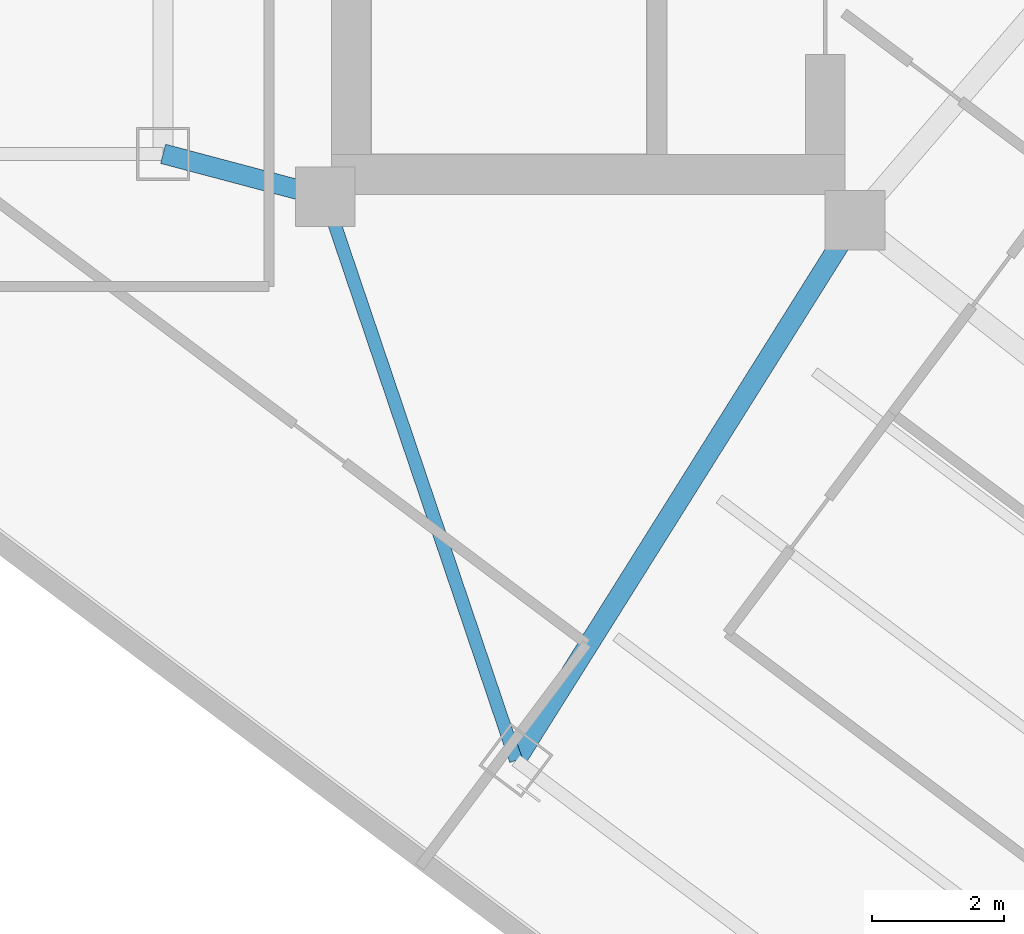
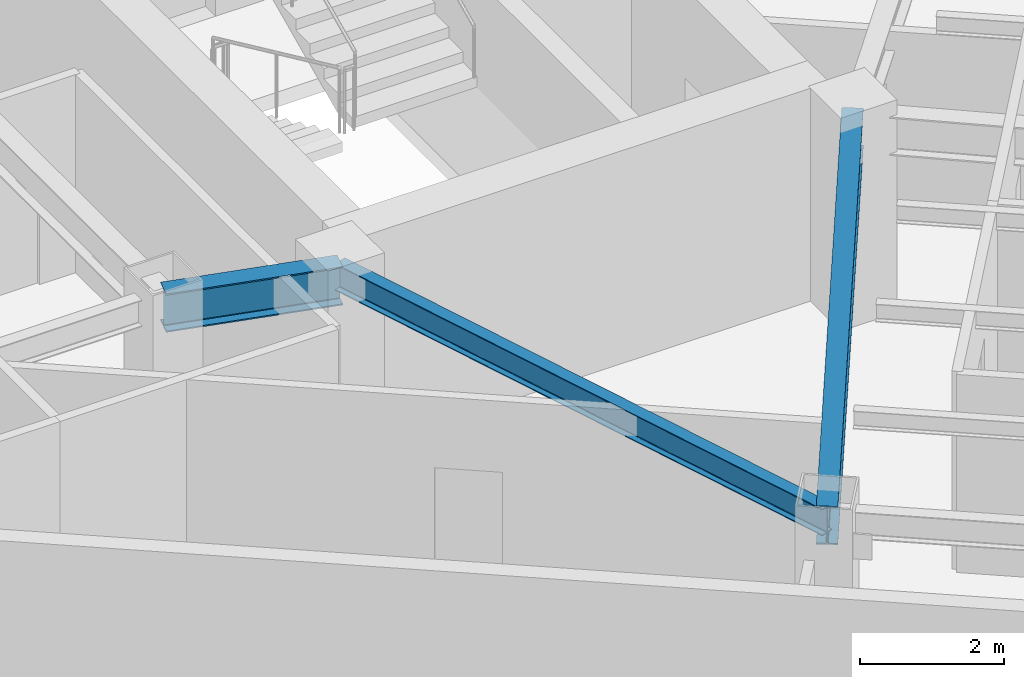
# One storey, part 3 of 27: 3 beams.
"""IFC4 building model written with IfcOpenShell, lengths in metres."""

from ifc_helpers import new_model, si_unit, direction, frame, origin, origin_2d, place, context, subcontext, project, spatial, i_section, extrude, material, material_profile, profile_set, type_object, element, save


model = new_model("IFC4")

# Units and contexts
model_context = context("Model", 3, precision=1e-05, world=origin(), true_north=direction((0.0, 1.0)))
body_context = subcontext(model_context, "Body", "Model", "MODEL_VIEW")
ifc_project = project(units=[si_unit("LENGTHUNIT", "METRE"), si_unit("AREAUNIT", "SQUARE_METRE"), si_unit("VOLUMEUNIT", "CUBIC_METRE"), si_unit("PLANEANGLEUNIT", "RADIAN"), si_unit("MASSUNIT", "GRAM", prefix="KILO")], contexts=[model_context])

# Site, building, storey
site_placement = place(None, origin())
site = spatial("IfcSite", under=ifc_project, at=site_placement, CompositionType="ELEMENT")
building_placement = place(site_placement, origin())
building = spatial("IfcBuilding", under=site, at=building_placement, Name="Hatsunagi Terrace Concourse", CompositionType="ELEMENT")
storey_placement = place(building_placement, frame((0.0, 0.0, 163.64990234375)))
storey = spatial("IfcBuildingStorey", under=building, at=storey_placement, Name="L43", CompositionType="ELEMENT", Elevation=163.64990234375)

# Beams
ifc_material_1 = material(Name="Steel SN490B", Category="steel")
ifc_material_profile_1 = material_profile(ifc_material_1, i_section(OverallWidth=0.300048828125, OverallDepth=0.64990234375, WebThickness=0.012939453125, FlangeThickness=0.02197265625, FilletRadius=0.01806640625, at=origin_2d()), Name="H-650x300x13x22")
ifc_profile_set_1 = profile_set([ifc_material_profile_1], Name="Steel SN490B")
beam_type_1 = type_object("IfcBeamType", Name="OfficeLowGirder_H_650x300", PredefinedType="BEAM", material=ifc_profile_set_1)
beam_1_placement = place(storey_placement, frame((33.35009765625, 25.199951171875, 3.025146484375), z_axis=(0.966569840116, -0.256403479262, 0.0), x_axis=(0.256403479262, 0.966569840116, 0.0)))
element("IfcBeam", 1, at=beam_1_placement, inside=storey, type_object=beam_type_1, Name="Beam G-05 BM-L43-K2CB", PredefinedType="BEAM", context=body_context, shape_type="SweptSolid", body=[
    extrude(i_section(OverallWidth=0.300048828125, OverallDepth=0.64990234375, WebThickness=0.012939453125, FlangeThickness=0.02197265625, FilletRadius=0.01806640625, at=origin_2d()), origin(), (0.0, 0.0, 1.0), 2.53466796875),
])
beam_2_placement = place(storey_placement, frame((38.679931640625, 16.0400390625, 3.025146484375), z_axis=(0.531503907049, 0.847055840421, 0.0), x_axis=(-0.847055840421, 0.531503907049, 0.0)))
element("IfcBeam", 2, at=beam_2_placement, inside=storey, type_object=beam_type_1, Name="Beam G-05 BM-L43-SET-1A", PredefinedType="BEAM", context=body_context, shape_type="SweptSolid", body=[
    extrude(i_section(OverallWidth=0.300048828125, OverallDepth=0.64990234375, WebThickness=0.012939453125, FlangeThickness=0.02197265625, FilletRadius=0.01806640625, at=origin_2d()), origin(), (0.0, 0.0, 1.0), 9.63330078125),
])
ifc_material_2 = material(Name="Steel SN490B", Category="steel")
ifc_material_profile_2 = material_profile(ifc_material_2, i_section(OverallWidth=0.199951171875, OverallDepth=0.449951171875, WebThickness=0.009033203125, FlangeThickness=0.013916015625, FilletRadius=0.01611328125, at=origin_2d()), Name="H-450x200x9x14")
ifc_profile_set_2 = profile_set([ifc_material_profile_2], Name="Steel SN490B")
beam_type_2 = type_object("IfcBeamType", Name="PerimeterSpandrel_H_450x200", PredefinedType="SPANDREL", material=ifc_profile_set_2)
beam_3_placement = place(storey_placement, frame((35.800048828125, 24.550048828125, 3.125), z_axis=(0.320553412271, -0.947230441805, 0.0), x_axis=(0.947230441805, 0.320553412271, 0.0)))
element("IfcBeam", 3, at=beam_3_placement, inside=storey, type_object=beam_type_2, Name="Beam SP-02 BM-L43-SE-SW0", PredefinedType="SPANDREL", context=body_context, shape_type="SweptSolid", body=[
    extrude(i_section(OverallWidth=0.199951171875, OverallDepth=0.449951171875, WebThickness=0.009033203125, FlangeThickness=0.013916015625, FilletRadius=0.01611328125, at=origin_2d()), origin(), (0.0, 0.0, 1.0), 8.984130859375),
])

save(model, "model.ifc")
